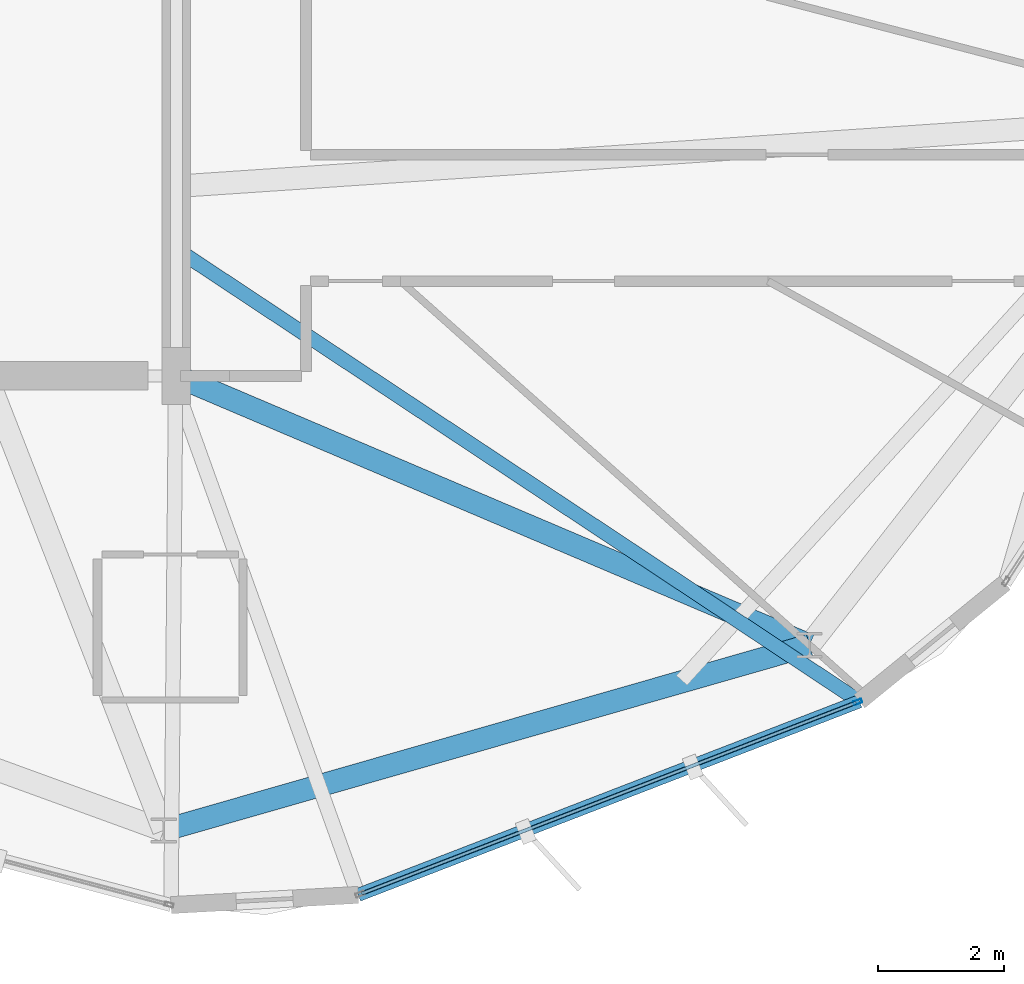
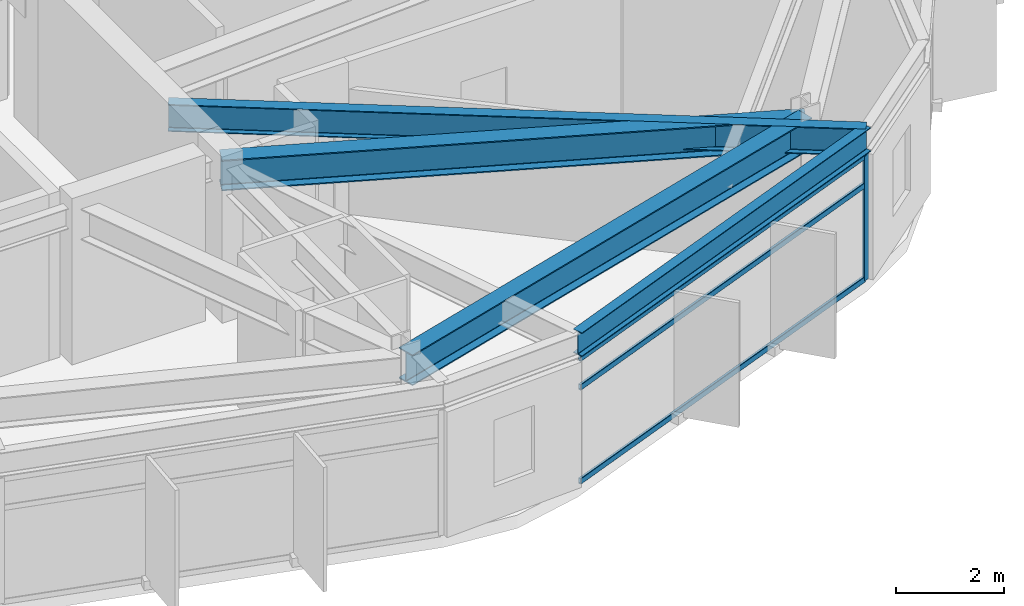
# One storey, part 6 of 26: 4 beams, 4 members, 1 element without a shape of its own.
"""IFC4 building model written with IfcOpenShell, lengths in metres."""

import ifcopenshell
import ifcopenshell.guid

model = None  # the IFC model being written
_history = None  # IfcOwnerHistory: only IFC2X3 demands one
_inside = {}  # id of a spatial element -> (the spatial element, [elements in it])
_under = {}  # id of a project, library or spatial element -> (it, [spatial elements below it])
_declared = {}  # id of a project -> (the project, [libraries it declares])
_typed = {}  # id of a type object -> (the type object, [elements of that type])
_made_of = {}  # id of a material, layer set ... -> (it, [elements and type objects made of it])


def new_model(schema):
    """Start an empty IFC model of exactly this schema.

    Asked for "IFC4X3", IfcOpenShell would pick the latest addendum, in which some entities
    have other attributes; the version numbers below select the first issue.
    IFC2X3 requires an IfcOwnerHistory on every rooted entity: one is made here for all.
    """
    global model, _history
    if schema == "IFC4X3":
        model = ifcopenshell.file(schema_version=(4, 3, 0, 0))
    else:
        model = ifcopenshell.file(schema=schema)
    _inside.clear()
    _under.clear()
    _declared.clear()
    _typed.clear()
    _made_of.clear()
    _history = None
    if model.schema == "IFC2X3":
        org = make("IfcOrganization", Name="unknown")
        user = make(
            "IfcPersonAndOrganization",
            ThePerson=make("IfcPerson", FamilyName="unknown"),
            TheOrganization=org,
        )
        app = make(
            "IfcApplication",
            ApplicationDeveloper=org,
            Version="unknown",
            ApplicationFullName="unknown",
            ApplicationIdentifier="unknown",
        )
        _history = make(
            "IfcOwnerHistory",
            OwningUser=user,
            OwningApplication=app,
            ChangeAction="ADDED",
            CreationDate=0,
        )
    return model


def make(cls, **values):
    """One entity of the class cls with the attributes given. An attribute that is None is left unset."""
    return model.create_entity(
        cls, **{name: value for name, value in values.items() if value is not None}
    )


def rooted(cls, **values):
    """An entity with a GlobalId (a new one), such as an element, a storey or a relation."""
    return make(cls, GlobalId=ifcopenshell.guid.new(), OwnerHistory=_history, **values)


def si_unit(unit_type, name, prefix=None):
    """IfcSIUnit, for example si_unit("LENGTHUNIT", "METRE", prefix="MILLI")."""
    return make("IfcSIUnit", UnitType=unit_type, Prefix=prefix, Name=name)


def assignment(units):
    """IfcUnitAssignment: the units of a project."""
    return None if units is None else make("IfcUnitAssignment", Units=units)


def point(xyz):
    """IfcCartesianPoint."""
    return None if xyz is None else make("IfcCartesianPoint", Coordinates=xyz)


def direction(xyz):
    """IfcDirection."""
    return None if xyz is None else make("IfcDirection", DirectionRatios=xyz)


def frame(location, z_axis=None, x_axis=None):
    """IfcAxis2Placement3D, a coordinate frame: its origin and axes. An axis left out is left unset."""
    return make(
        "IfcAxis2Placement3D",
        Location=point(location),
        Axis=direction(z_axis),
        RefDirection=direction(x_axis),
    )


def frame_2d(location, x_axis=None):
    """IfcAxis2Placement2D, a coordinate frame in the plane: its origin and x axis."""
    return make(
        "IfcAxis2Placement2D", Location=point(location), RefDirection=direction(x_axis)
    )


def origin():
    """The frame at (0, 0, 0) with its axes left unset."""
    return frame((0.0, 0.0, 0.0))


def origin_2d():
    """The frame at (0, 0) in the plane with its x axis left unset."""
    return frame_2d((0.0, 0.0))


def place(relative_to, where):
    """IfcLocalPlacement: puts the frame where relative to a parent placement (None: the world)."""
    return make(
        "IfcLocalPlacement", PlacementRelTo=relative_to, RelativePlacement=where
    )


def context(
    kind, dimensions, precision=None, world=None, true_north=None, identifier=None
):
    """IfcGeometricRepresentationContext, for example the 3D "Model" context."""
    return make(
        "IfcGeometricRepresentationContext",
        ContextIdentifier=identifier,
        ContextType=kind,
        CoordinateSpaceDimension=dimensions,
        Precision=precision,
        WorldCoordinateSystem=world,
        TrueNorth=true_north,
    )


def subcontext(parent, identifier, kind, view, scale=None):
    """IfcGeometricRepresentationSubContext, for example "Body" below "Model"."""
    return make(
        "IfcGeometricRepresentationSubContext",
        ContextIdentifier=identifier,
        ContextType=kind,
        ParentContext=parent,
        TargetScale=scale,
        TargetView=view,
    )


def project(units=None, contexts=None):
    """IfcProject with its units and contexts."""
    return rooted(
        "IfcProject",
        Name="project",
        RepresentationContexts=contexts,
        UnitsInContext=assignment(units),
    )


def spatial(cls, under=None, at=None, **own):
    """A site, building, storey or space (cls), placed at a placement, below another one or the project."""
    s = rooted(cls, ObjectPlacement=at, **own)
    if under is not None:
        _under.setdefault(under.id(), (under, []))[1].append(s)
    return s


def profile(cls, at=None, kind="AREA", **sizes):
    """A parametric profile (cls). Its sizes go by their IFC names, for example OverallWidth=200.0."""
    return make(cls, ProfileType=kind, Position=at, **sizes)


def hollow_rectangle(**sizes):
    """IfcRectangleHollowProfileDef."""
    return profile("IfcRectangleHollowProfileDef", **sizes)


def i_section(**sizes):
    """IfcIShapeProfileDef."""
    return profile("IfcIShapeProfileDef", **sizes)


def extrude(swept, where, along, depth):
    """IfcExtrudedAreaSolid: the profile swept, set in the frame where, extruded along a direction by depth."""
    return make(
        "IfcExtrudedAreaSolid",
        SweptArea=swept,
        Position=where,
        ExtrudedDirection=direction(along),
        Depth=depth,
    )


def shape(context_of_items, identifier, shape_type, items):
    """IfcShapeRepresentation: the items that make up one representation, for example the "Body"."""
    return make(
        "IfcShapeRepresentation",
        ContextOfItems=context_of_items,
        RepresentationIdentifier=identifier,
        RepresentationType=shape_type,
        Items=items,
    )


def material(Name=None, Category=None):
    """IfcMaterial."""
    return make("IfcMaterial", Name=Name, Category=Category)


def layer(
    of_material, thickness, ventilated=None, Name=None, Category=None, Priority=None
):
    """IfcMaterialLayer: one layer of a wall or slab, of a material (None: an air gap)."""
    return make(
        "IfcMaterialLayer",
        Material=of_material,
        LayerThickness=thickness,
        IsVentilated=ventilated,
        Name=Name,
        Category=Category,
        Priority=Priority,
    )


def layer_set(layers, Name=None):
    """IfcMaterialLayerSet."""
    return make("IfcMaterialLayerSet", MaterialLayers=layers, LayerSetName=Name)


def material_profile(
    of_material, cross_section, Name=None, Category=None, Priority=None
):
    """IfcMaterialProfile: a cross section and its material."""
    return make(
        "IfcMaterialProfile",
        Name=Name,
        Material=of_material,
        Profile=cross_section,
        Priority=Priority,
        Category=Category,
    )


def profile_set(profiles, Name=None, composite=None):
    """IfcMaterialProfileSet."""
    return make(
        "IfcMaterialProfileSet",
        Name=Name,
        MaterialProfiles=profiles,
        CompositeProfile=composite,
    )


def made_of(thing, what):
    """Note that an element or type object is made of a material, layer set ...; save() writes the relation."""
    if what is not None:
        _made_of.setdefault(what.id(), (what, []))[1].append(thing)
    return thing


def type_object(cls, material=None, **own):
    """A type object (cls), such as IfcWallType, which elements share."""
    return made_of(rooted(cls, **own), material)


def element(
    cls,
    number,
    at=None,
    inside=None,
    cuts=None,
    type_object=None,
    material=None,
    context=None,
    identifier="Body",
    shape_type=None,
    held_by="IfcProductDefinitionShape",
    body=None,
    shapes=None,
    **own,
):
    """One element of the class cls, such as IfcWall. Its Tag is "e" and its number.

    at: its placement. inside: the storey or other place that contains it. cuts: it is an
    opening in that element (IfcRelVoidsElement). A single representation is given by context,
    identifier, shape_type and body (its items); several are given by shapes. held_by: the class
    of the entity that holds the representations. save() writes the other relations.
    """
    e = rooted(cls, Tag="e%d" % number, ObjectPlacement=at, **own)
    if body is not None:
        shapes = [shape(context, identifier, shape_type, body)]
    if shapes is not None:
        e.Representation = make(held_by, Representations=shapes)
    if inside is not None:
        _inside.setdefault(inside.id(), (inside, []))[1].append(e)
    if cuts is not None:
        rooted(
            "IfcRelVoidsElement", RelatingBuildingElement=cuts, RelatedOpeningElement=e
        )
    if type_object is not None:
        _typed.setdefault(type_object.id(), (type_object, []))[1].append(e)
    return made_of(e, material)


def aggregate(whole, parts):
    """IfcRelAggregates: a whole, such as a stair, and the parts it consists of."""
    return rooted("IfcRelAggregates", RelatingObject=whole, RelatedObjects=parts)


def save(model, path):
    """Write the relations noted so far, then the file.

    IfcRelAggregates (storeys below a building ...), IfcRelContainedInSpatialStructure (elements
    in a storey), IfcRelDefinesByType, IfcRelAssociatesMaterial and IfcRelDeclares: one each for
    every whole, place, type object, material and project.
    """
    for whole, parts in _under.values():
        aggregate(whole, parts)
    for where, things in _inside.values():
        rooted(
            "IfcRelContainedInSpatialStructure",
            RelatedElements=things,
            RelatingStructure=where,
        )
    for kind, things in _typed.values():
        rooted("IfcRelDefinesByType", RelatedObjects=things, RelatingType=kind)
    for what, things in _made_of.values():
        rooted("IfcRelAssociatesMaterial", RelatedObjects=things, RelatingMaterial=what)
    for by, libraries in _declared.values():
        rooted("IfcRelDeclares", RelatingContext=by, RelatedDefinitions=libraries)
    model.write(path)


model = new_model("IFC4")

# Units and contexts
model_context = context("Model", 3, precision=1e-05, world=origin(), true_north=direction((0.0, 1.0)))
body_context = subcontext(model_context, "Body", "Model", "MODEL_VIEW")
ifc_project = project(units=[si_unit("LENGTHUNIT", "METRE"), si_unit("AREAUNIT", "SQUARE_METRE"), si_unit("VOLUMEUNIT", "CUBIC_METRE"), si_unit("PLANEANGLEUNIT", "RADIAN"), si_unit("MASSUNIT", "GRAM", prefix="KILO")], contexts=[model_context])

# Site, building, storey
site_placement = place(None, origin())
site = spatial("IfcSite", under=ifc_project, at=site_placement, CompositionType="ELEMENT")
building_placement = place(site_placement, origin())
building = spatial("IfcBuilding", under=site, at=building_placement, Name="Soratama Intermodal Tower", CompositionType="ELEMENT")
storey_placement = place(building_placement, frame((0.0, 0.0, 242.5)))
storey = spatial("IfcBuildingStorey", under=building, at=storey_placement, Name="L61", CompositionType="ELEMENT", Elevation=242.5)

# Beams
ifc_material_1 = material(Name="Structural steel ASTM A992 Grade 50", Category="steel")
ifc_material_profile_1 = material_profile(ifc_material_1, i_section(OverallWidth=0.35498046875, OverallDepth=0.695068359375, WebThickness=0.015380859375, FlangeThickness=0.02490234375, FilletRadius=0.01611328125, at=origin_2d()), Name="W27X146")
ifc_profile_set_1 = profile_set([ifc_material_profile_1], Name="Structural steel ASTM A992 Grade 50")
beam_type_1 = type_object("IfcBeamType", Name="BM-RING-W27X146", PredefinedType="BEAM", material=ifc_profile_set_1)
beam_1_placement = place(storey_placement, frame((44.39990234375, 7.81103515625, 3.1025390625), z_axis=(0.961262636932, 0.27563407416, 0.0), x_axis=(-0.27563407416, 0.961262636932, 0.0)))
element("IfcBeam", 1, at=beam_1_placement, inside=storey, type_object=beam_type_1, Name="BM-L61-RING-08", PredefinedType="BEAM", context=body_context, shape_type="SweptSolid", body=[
    extrude(i_section(OverallWidth=0.35498046875, OverallDepth=0.695068359375, WebThickness=0.015380859375, FlangeThickness=0.02490234375, FilletRadius=0.01611328125, at=origin_2d()), origin(), (0.0, 0.0, 1.0), 10.6298828125),
])
beam_2_placement = place(storey_placement, frame((44.60009765625, 15.0, 3.1025390625), z_axis=(0.920282671955, -0.391254142087, 0.0), x_axis=(0.391254142087, 0.920282671955, 0.0)))
element("IfcBeam", 2, at=beam_2_placement, inside=storey, type_object=beam_type_1, Name="BM-L61-RAD-09", PredefinedType="BEAM", context=body_context, shape_type="SweptSolid", body=[
    extrude(i_section(OverallWidth=0.35498046875, OverallDepth=0.695068359375, WebThickness=0.015380859375, FlangeThickness=0.02490234375, FilletRadius=0.01611328125, at=origin_2d()), origin(), (0.0, 0.0, 1.0), 10.885498046875),
])
ifc_material_2 = material(Name="Structural steel ASTM A992 Grade 50", Category="steel")
ifc_material_profile_2 = material_profile(ifc_material_2, i_section(OverallWidth=0.2099609375, OverallDepth=0.537109375, WebThickness=0.010986328125, FlangeThickness=0.017333984375, FilletRadius=0.012939453125, at=origin_2d()), Name="W21X68")
ifc_profile_set_2 = profile_set([ifc_material_profile_2], Name="Structural steel ASTM A992 Grade 50")
beam_type_2 = type_object("IfcBeamType", Name="BM-SPN-W21X68", PredefinedType="SPANDREL", material=ifc_profile_set_2)
beam_3_placement = place(storey_placement, frame((47.47802734375, 6.7900390625, 3.181396484375), z_axis=(0.932855401943, 0.360251022298, 0.0), x_axis=(-0.360251022298, 0.932855401943, 0.0)))
element("IfcBeam", 3, at=beam_3_placement, inside=storey, type_object=beam_type_2, Name="BS-L61-F07", PredefinedType="SPANDREL", context=body_context, shape_type="SweptSolid", body=[
    extrude(i_section(OverallWidth=0.2099609375, OverallDepth=0.537109375, WebThickness=0.010986328125, FlangeThickness=0.017333984375, FilletRadius=0.012939453125, at=origin_2d()), origin(), (0.0, 0.0, 1.0), 8.499755859375),
])
ifc_material_3 = material(Name="Structural steel ASTM A992 Grade 50", Category="steel")
ifc_material_profile_3 = material_profile(ifc_material_3, i_section(OverallWidth=0.22900390625, OverallDepth=0.612060546875, WebThickness=0.011962890625, FlangeThickness=0.01953125, FilletRadius=0.012939453125, at=origin_2d()), Name="W24X84")
ifc_profile_set_3 = profile_set([ifc_material_profile_3], Name="Structural steel ASTM A992 Grade 50")
beam_type_3 = type_object("IfcBeamType", Name="BM-TIE-W24X84", PredefinedType="BEAM", material=ifc_profile_set_3)
beam_4_placement = place(storey_placement, frame((44.633056640625, 16.986083984375, 3.14404296875), z_axis=(0.833781541767, -0.552094503331, 0.0), x_axis=(0.552094503331, 0.833781541767, 0.0)))
element("IfcBeam", 4, at=beam_4_placement, inside=storey, type_object=beam_type_3, Name="BM-L61-TIE1-07", PredefinedType="BEAM", context=body_context, shape_type="SweptSolid", body=[
    extrude(i_section(OverallWidth=0.22900390625, OverallDepth=0.612060546875, WebThickness=0.011962890625, FlangeThickness=0.01953125, FilletRadius=0.012939453125, at=origin_2d()), origin(), (0.0, 0.0, 1.0), 12.921875),
])

# Curtain wall, members
ifc_material_4 = material(Name="Double-glazed aluminium curtain wall", Category="aluminium")
ifc_layer = layer(ifc_material_4, 0.159912109375)
ifc_layer_set = layer_set([ifc_layer], Name="Double-glazed aluminium curtain wall")
curtain_wall_type = type_object("IfcCurtainWallType", Name="CW-SYS-5", PredefinedType="NOTDEFINED", material=ifc_layer_set)
curtain_wall_placement = place(storey_placement, origin())
curtain_wall = element("IfcCurtainWall", 5, at=curtain_wall_placement, inside=storey, type_object=curtain_wall_type, Name="L61 Faceted Curtain Wall F07", PredefinedType="NOTDEFINED")
ifc_material_5 = material(Name="Anodised aluminium AA 6063-T6", Category="aluminium")
ifc_material_profile_4 = material_profile(ifc_material_5, hollow_rectangle(XDim=0.06494140625, YDim=0.139892578125, WallThickness=0.0048828125, InnerFilletRadius=0.0048828125, OuterFilletRadius=0.010009765625, at=origin_2d()), Name="CWM140X65X5")
ifc_profile_set_4 = profile_set([ifc_material_profile_4], Name="Anodised aluminium AA 6063-T6")
member_type_1 = type_object("IfcMemberType", Name="MT-CWM-5", PredefinedType="MULLION", material=ifc_profile_set_4)
member_1_placement = place(storey_placement, frame((55.37890625, 9.841796875, 0.0), z_axis=(0.0, 0.0, 1.0), x_axis=(-0.360327619849, 0.932825817811, 0.0)))
member_1 = element("IfcMember", 6, at=member_1_placement, type_object=member_type_1, Name="CW-5 mullion 2", PredefinedType="MULLION", context=body_context, shape_type="SweptSolid", body=[
    extrude(hollow_rectangle(XDim=0.06494140625, YDim=0.139892578125, WallThickness=0.0048828125, InnerFilletRadius=0.0048828125, OuterFilletRadius=0.010009765625, at=origin_2d()), origin(), (0.0, 0.0, 1.0), 2.8291015625),
])
ifc_material_6 = material(Name="Anodised aluminium AA 6063-T6", Category="aluminium")
ifc_material_profile_5 = material_profile(ifc_material_6, hollow_rectangle(XDim=0.06005859375, YDim=0.1298828125, WallThickness=0.0048828125, InnerFilletRadius=0.0048828125, OuterFilletRadius=0.010009765625, at=origin_2d()), Name="CWT130X60X5")
ifc_profile_set_5 = profile_set([ifc_material_profile_5], Name="Anodised aluminium AA 6063-T6")
member_type_2 = type_object("IfcMemberType", Name="TT-CWT-2", PredefinedType="USERDEFINED", material=ifc_profile_set_5)
member_2_placement = place(storey_placement, frame((47.5341796875, 6.8115234375, 0.030029296875), z_axis=(0.93282951858, 0.360318039051, 0.0), x_axis=(-0.360318039051, 0.93282951858, 0.0)))
member_2 = element("IfcMember", 7, at=member_2_placement, type_object=member_type_2, Name="CW-5 transom 1.1", ObjectType="TRANSOM", PredefinedType="USERDEFINED", context=body_context, shape_type="SweptSolid", body=[
    extrude(hollow_rectangle(XDim=0.06005859375, YDim=0.1298828125, WallThickness=0.0048828125, InnerFilletRadius=0.0048828125, OuterFilletRadius=0.010009765625, at=origin_2d()), origin(), (0.0, 0.0, 1.0), 8.37939453125),
])
member_3_placement = place(storey_placement, frame((47.5341796875, 6.8115234375, 2.14990234375), z_axis=(0.93282951858, 0.360318039051, 0.0), x_axis=(-0.360318039051, 0.93282951858, 0.0)))
member_3 = element("IfcMember", 8, at=member_3_placement, type_object=member_type_2, Name="CW-5 transom 1.2", ObjectType="TRANSOM", PredefinedType="USERDEFINED", context=body_context, shape_type="SweptSolid", body=[
    extrude(hollow_rectangle(XDim=0.06005859375, YDim=0.1298828125, WallThickness=0.0048828125, InnerFilletRadius=0.0048828125, OuterFilletRadius=0.010009765625, at=origin_2d()), origin(), (0.0, 0.0, 1.0), 8.37939453125),
])
member_4_placement = place(storey_placement, frame((47.5341796875, 6.8115234375, 2.799072265625), z_axis=(0.93282951858, 0.360318039051, 0.0), x_axis=(-0.360318039051, 0.93282951858, 0.0)))
member_4 = element("IfcMember", 9, at=member_4_placement, type_object=member_type_2, Name="CW-5 transom 1.3", ObjectType="TRANSOM", PredefinedType="USERDEFINED", context=body_context, shape_type="SweptSolid", body=[
    extrude(hollow_rectangle(XDim=0.06005859375, YDim=0.1298828125, WallThickness=0.0048828125, InnerFilletRadius=0.0048828125, OuterFilletRadius=0.010009765625, at=origin_2d()), origin(), (0.0, 0.0, 1.0), 8.37939453125),
])
aggregate(curtain_wall, [member_1, member_2, member_3, member_4])

save(model, "model.ifc")
